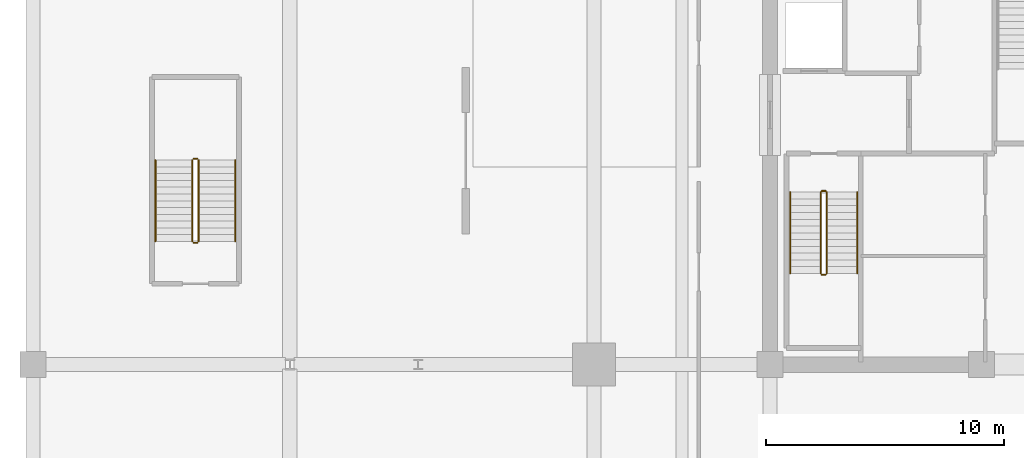
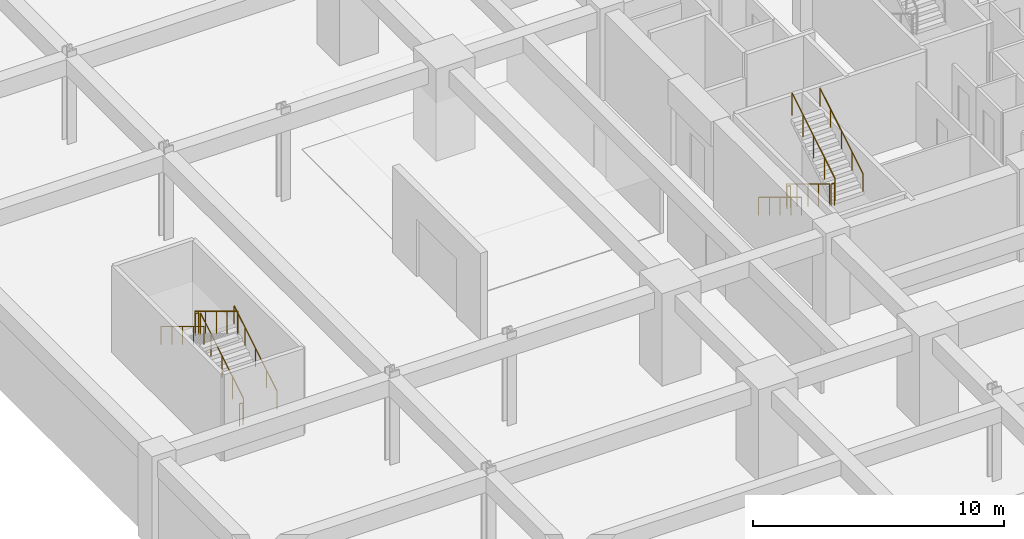
# One storey, part 12 of 16: 12 railings.
"""IFC4 building model written with IfcOpenShell, lengths in metres."""

import ifcopenshell
import ifcopenshell.guid

model = None  # the IFC model being written
_history = None  # IfcOwnerHistory: only IFC2X3 demands one
_inside = {}  # id of a spatial element -> (the spatial element, [elements in it])
_under = {}  # id of a project, library or spatial element -> (it, [spatial elements below it])
_declared = {}  # id of a project -> (the project, [libraries it declares])
_typed = {}  # id of a type object -> (the type object, [elements of that type])
_made_of = {}  # id of a material, layer set ... -> (it, [elements and type objects made of it])


def new_model(schema):
    """Start an empty IFC model of exactly this schema.

    Asked for "IFC4X3", IfcOpenShell would pick the latest addendum, in which some entities
    have other attributes; the version numbers below select the first issue.
    IFC2X3 requires an IfcOwnerHistory on every rooted entity: one is made here for all.
    """
    global model, _history
    if schema == "IFC4X3":
        model = ifcopenshell.file(schema_version=(4, 3, 0, 0))
    else:
        model = ifcopenshell.file(schema=schema)
    _inside.clear()
    _under.clear()
    _declared.clear()
    _typed.clear()
    _made_of.clear()
    _history = None
    if model.schema == "IFC2X3":
        org = make("IfcOrganization", Name="unknown")
        user = make(
            "IfcPersonAndOrganization",
            ThePerson=make("IfcPerson", FamilyName="unknown"),
            TheOrganization=org,
        )
        app = make(
            "IfcApplication",
            ApplicationDeveloper=org,
            Version="unknown",
            ApplicationFullName="unknown",
            ApplicationIdentifier="unknown",
        )
        _history = make(
            "IfcOwnerHistory",
            OwningUser=user,
            OwningApplication=app,
            ChangeAction="ADDED",
            CreationDate=0,
        )
    return model


def make(cls, **values):
    """One entity of the class cls with the attributes given. An attribute that is None is left unset."""
    return model.create_entity(
        cls, **{name: value for name, value in values.items() if value is not None}
    )


def rooted(cls, **values):
    """An entity with a GlobalId (a new one), such as an element, a storey or a relation."""
    return make(cls, GlobalId=ifcopenshell.guid.new(), OwnerHistory=_history, **values)


def si_unit(unit_type, name, prefix=None):
    """IfcSIUnit, for example si_unit("LENGTHUNIT", "METRE", prefix="MILLI")."""
    return make("IfcSIUnit", UnitType=unit_type, Prefix=prefix, Name=name)


def assignment(units):
    """IfcUnitAssignment: the units of a project."""
    return None if units is None else make("IfcUnitAssignment", Units=units)


def point(xyz):
    """IfcCartesianPoint."""
    return None if xyz is None else make("IfcCartesianPoint", Coordinates=xyz)


def direction(xyz):
    """IfcDirection."""
    return None if xyz is None else make("IfcDirection", DirectionRatios=xyz)


def frame(location, z_axis=None, x_axis=None):
    """IfcAxis2Placement3D, a coordinate frame: its origin and axes. An axis left out is left unset."""
    return make(
        "IfcAxis2Placement3D",
        Location=point(location),
        Axis=direction(z_axis),
        RefDirection=direction(x_axis),
    )


def frame_2d(location, x_axis=None):
    """IfcAxis2Placement2D, a coordinate frame in the plane: its origin and x axis."""
    return make(
        "IfcAxis2Placement2D", Location=point(location), RefDirection=direction(x_axis)
    )


def origin():
    """The frame at (0, 0, 0) with its axes left unset."""
    return frame((0.0, 0.0, 0.0))


def origin_2d():
    """The frame at (0, 0) in the plane with its x axis left unset."""
    return frame_2d((0.0, 0.0))


def place(relative_to, where):
    """IfcLocalPlacement: puts the frame where relative to a parent placement (None: the world)."""
    return make(
        "IfcLocalPlacement", PlacementRelTo=relative_to, RelativePlacement=where
    )


def context(
    kind, dimensions, precision=None, world=None, true_north=None, identifier=None
):
    """IfcGeometricRepresentationContext, for example the 3D "Model" context."""
    return make(
        "IfcGeometricRepresentationContext",
        ContextIdentifier=identifier,
        ContextType=kind,
        CoordinateSpaceDimension=dimensions,
        Precision=precision,
        WorldCoordinateSystem=world,
        TrueNorth=true_north,
    )


def subcontext(parent, identifier, kind, view, scale=None):
    """IfcGeometricRepresentationSubContext, for example "Body" below "Model"."""
    return make(
        "IfcGeometricRepresentationSubContext",
        ContextIdentifier=identifier,
        ContextType=kind,
        ParentContext=parent,
        TargetScale=scale,
        TargetView=view,
    )


def project(units=None, contexts=None):
    """IfcProject with its units and contexts."""
    return rooted(
        "IfcProject",
        Name="project",
        RepresentationContexts=contexts,
        UnitsInContext=assignment(units),
    )


def spatial(cls, under=None, at=None, **own):
    """A site, building, storey or space (cls), placed at a placement, below another one or the project."""
    s = rooted(cls, ObjectPlacement=at, **own)
    if under is not None:
        _under.setdefault(under.id(), (under, []))[1].append(s)
    return s


def profile(cls, at=None, kind="AREA", **sizes):
    """A parametric profile (cls). Its sizes go by their IFC names, for example OverallWidth=200.0."""
    return make(cls, ProfileType=kind, Position=at, **sizes)


def circle(**sizes):
    """IfcCircleProfileDef."""
    return profile("IfcCircleProfileDef", **sizes)


def extrude(swept, where, along, depth):
    """IfcExtrudedAreaSolid: the profile swept, set in the frame where, extruded along a direction by depth."""
    return make(
        "IfcExtrudedAreaSolid",
        SweptArea=swept,
        Position=where,
        ExtrudedDirection=direction(along),
        Depth=depth,
    )


def shape(context_of_items, identifier, shape_type, items):
    """IfcShapeRepresentation: the items that make up one representation, for example the "Body"."""
    return make(
        "IfcShapeRepresentation",
        ContextOfItems=context_of_items,
        RepresentationIdentifier=identifier,
        RepresentationType=shape_type,
        Items=items,
    )


def material(Name=None, Category=None):
    """IfcMaterial."""
    return make("IfcMaterial", Name=Name, Category=Category)


def made_of(thing, what):
    """Note that an element or type object is made of a material, layer set ...; save() writes the relation."""
    if what is not None:
        _made_of.setdefault(what.id(), (what, []))[1].append(thing)
    return thing


def type_object(cls, material=None, **own):
    """A type object (cls), such as IfcWallType, which elements share."""
    return made_of(rooted(cls, **own), material)


def element(
    cls,
    number,
    at=None,
    inside=None,
    cuts=None,
    type_object=None,
    material=None,
    context=None,
    identifier="Body",
    shape_type=None,
    held_by="IfcProductDefinitionShape",
    body=None,
    shapes=None,
    **own,
):
    """One element of the class cls, such as IfcWall. Its Tag is "e" and its number.

    at: its placement. inside: the storey or other place that contains it. cuts: it is an
    opening in that element (IfcRelVoidsElement). A single representation is given by context,
    identifier, shape_type and body (its items); several are given by shapes. held_by: the class
    of the entity that holds the representations. save() writes the other relations.
    """
    e = rooted(cls, Tag="e%d" % number, ObjectPlacement=at, **own)
    if body is not None:
        shapes = [shape(context, identifier, shape_type, body)]
    if shapes is not None:
        e.Representation = make(held_by, Representations=shapes)
    if inside is not None:
        _inside.setdefault(inside.id(), (inside, []))[1].append(e)
    if cuts is not None:
        rooted(
            "IfcRelVoidsElement", RelatingBuildingElement=cuts, RelatedOpeningElement=e
        )
    if type_object is not None:
        _typed.setdefault(type_object.id(), (type_object, []))[1].append(e)
    return made_of(e, material)


def aggregate(whole, parts):
    """IfcRelAggregates: a whole, such as a stair, and the parts it consists of."""
    return rooted("IfcRelAggregates", RelatingObject=whole, RelatedObjects=parts)


def save(model, path):
    """Write the relations noted so far, then the file.

    IfcRelAggregates (storeys below a building ...), IfcRelContainedInSpatialStructure (elements
    in a storey), IfcRelDefinesByType, IfcRelAssociatesMaterial and IfcRelDeclares: one each for
    every whole, place, type object, material and project.
    """
    for whole, parts in _under.values():
        aggregate(whole, parts)
    for where, things in _inside.values():
        rooted(
            "IfcRelContainedInSpatialStructure",
            RelatedElements=things,
            RelatingStructure=where,
        )
    for kind, things in _typed.values():
        rooted("IfcRelDefinesByType", RelatedObjects=things, RelatingType=kind)
    for what, things in _made_of.values():
        rooted("IfcRelAssociatesMaterial", RelatedObjects=things, RelatingMaterial=what)
    for by, libraries in _declared.values():
        rooted("IfcRelDeclares", RelatingContext=by, RelatedDefinitions=libraries)
    model.write(path)


model = new_model("IFC4")

# Units and contexts
model_context = context("Model", 3, precision=1e-05, world=origin(), true_north=direction((0.0, 1.0)))
body_context = subcontext(model_context, "Body", "Model", "MODEL_VIEW")
ifc_project = project(units=[si_unit("LENGTHUNIT", "METRE"), si_unit("AREAUNIT", "SQUARE_METRE"), si_unit("VOLUMEUNIT", "CUBIC_METRE"), si_unit("PLANEANGLEUNIT", "RADIAN"), si_unit("MASSUNIT", "GRAM", prefix="KILO")], contexts=[model_context])

# Site, building, storey
site_placement = place(None, origin())
site = spatial("IfcSite", under=ifc_project, at=site_placement, CompositionType="ELEMENT")
building_placement = place(site_placement, origin())
building = spatial("IfcBuilding", under=site, at=building_placement, Name="Kovane Verandah Tower", CompositionType="ELEMENT")
storey_placement = place(building_placement, frame((0.0, 0.0, -4.5)))
storey = spatial("IfcBuildingStorey", under=building, at=storey_placement, Name="B1", CompositionType="ELEMENT", Elevation=-4.5)

# Railings
ifc_material_1 = material(Name="Brushed Stainless Steel Handrail", Category="steel")
railing_type_1 = type_object("IfcRailingType", Name="RL-HAND-920", PredefinedType="HANDRAIL", material=ifc_material_1)
railing_1_placement = place(storey_placement, frame((29.85009765625, 25.75, 0.173095703125)))
element("IfcRailing", 1, at=railing_1_placement, inside=storey, type_object=railing_type_1, Name="B1 ST-01 stair handrail 1", PredefinedType="HANDRAIL", context=body_context, shape_type="SweptSolid", body=[
    extrude(circle(Radius=0.02392578125, at=origin_2d()), frame((0.0, 0.0, 0.8759765625), z_axis=(0.0, -0.854729506542, 0.519073665916), x_axis=(1.0, 0.0, 0.0)), (0.0, 0.0, 1.0), 4.001220703125),
    extrude(circle(Radius=0.02099609375, at=origin_2d()), origin(), (0.0, 0.0, 1.0), 0.851806640625),
    extrude(circle(Radius=0.02099609375, at=origin_2d()), frame((0.0, -0.85498046875, 0.519287109375)), (0.0, 0.0, 1.0), 0.851806640625),
    extrude(circle(Radius=0.02099609375, at=origin_2d()), frame((0.0, -1.7099609375, 1.03857421875)), (0.0, 0.0, 1.0), 0.851806640625),
    extrude(circle(Radius=0.02099609375, at=origin_2d()), frame((0.0, -2.56494140625, 1.5576171875)), (0.0, 0.0, 1.0), 0.851806640625),
    extrude(circle(Radius=0.02099609375, at=origin_2d()), frame((0.0, -3.419921875, 2.076904296875)), (0.0, 0.0, 1.0), 0.851806640625),
])
railing_2_placement = place(storey_placement, frame((32.669921875, 22.330078125, 2.423095703125)))
element("IfcRailing", 2, at=railing_2_placement, inside=storey, type_object=railing_type_1, Name="B1 ST-01 stair handrail 2", PredefinedType="HANDRAIL", context=body_context, shape_type="SweptSolid", body=[
    extrude(circle(Radius=0.02392578125, at=origin_2d()), frame((0.0, 0.0, 0.8759765625), z_axis=(0.0, 0.854729506542, 0.519073665916), x_axis=(-1.0, 0.0, 0.0)), (0.0, 0.0, 1.0), 4.001220703125),
    extrude(circle(Radius=0.02099609375, at=origin_2d()), origin(), (0.0, 0.0, 1.0), 0.851806640625),
    extrude(circle(Radius=0.02099609375, at=origin_2d()), frame((0.0, 0.85498046875, 0.519287109375)), (0.0, 0.0, 1.0), 0.851806640625),
    extrude(circle(Radius=0.02099609375, at=origin_2d()), frame((0.0, 1.7099609375, 1.03857421875)), (0.0, 0.0, 1.0), 0.851806640625),
    extrude(circle(Radius=0.02099609375, at=origin_2d()), frame((0.0, 2.56494140625, 1.5576171875)), (0.0, 0.0, 1.0), 0.851806640625),
    extrude(circle(Radius=0.02099609375, at=origin_2d()), frame((0.0, 3.419921875, 2.076904296875)), (0.0, 0.0, 1.0), 0.851806640625),
])
railing_3_placement = place(storey_placement, frame((6.510009765625, 23.679931640625, 0.173095703125)))
element("IfcRailing", 3, at=railing_3_placement, inside=storey, type_object=railing_type_1, Name="B1 ST-04 stair handrail 1", PredefinedType="HANDRAIL", context=body_context, shape_type="SweptSolid", body=[
    extrude(circle(Radius=0.02392578125, at=origin_2d()), frame((0.0, 0.0, 0.8759765625), z_axis=(0.0, 0.854745945586, 0.519046595696), x_axis=(-1.0, 0.0, 0.0)), (0.0, 0.0, 1.0), 4.00146484375),
    extrude(circle(Radius=0.02099609375, at=origin_2d()), origin(), (0.0, 0.0, 1.0), 0.851806640625),
    extrude(circle(Radius=0.02099609375, at=origin_2d()), frame((0.0, 0.85498046875, 0.519287109375)), (0.0, 0.0, 1.0), 0.851806640625),
    extrude(circle(Radius=0.02099609375, at=origin_2d()), frame((0.0, 1.7099609375, 1.03857421875)), (0.0, 0.0, 1.0), 0.851806640625),
    extrude(circle(Radius=0.02099609375, at=origin_2d()), frame((0.0, 2.565185546875, 1.5576171875)), (0.0, 0.0, 1.0), 0.851806640625),
    extrude(circle(Radius=0.02099609375, at=origin_2d()), frame((0.0, 3.420166015625, 2.076904296875)), (0.0, 0.0, 1.0), 0.851806640625),
])
railing_4_placement = place(storey_placement, frame((3.14990234375, 27.10009765625, 2.423095703125)))
element("IfcRailing", 4, at=railing_4_placement, inside=storey, type_object=railing_type_1, Name="B1 ST-04 stair handrail 2", PredefinedType="HANDRAIL", context=body_context, shape_type="SweptSolid", body=[
    extrude(circle(Radius=0.02392578125, at=origin_2d()), frame((0.0, 0.0, 0.8759765625), z_axis=(0.0, -0.854745945586, 0.519046595696), x_axis=(1.0, 0.0, 0.0)), (0.0, 0.0, 1.0), 4.00146484375),
    extrude(circle(Radius=0.02099609375, at=origin_2d()), origin(), (0.0, 0.0, 1.0), 0.851806640625),
    extrude(circle(Radius=0.02099609375, at=origin_2d()), frame((0.0, -0.85498046875, 0.519287109375)), (0.0, 0.0, 1.0), 0.851806640625),
    extrude(circle(Radius=0.02099609375, at=origin_2d()), frame((0.0, -1.7099609375, 1.03857421875)), (0.0, 0.0, 1.0), 0.851806640625),
    extrude(circle(Radius=0.02099609375, at=origin_2d()), frame((0.0, -2.565185546875, 1.5576171875)), (0.0, 0.0, 1.0), 0.851806640625),
    extrude(circle(Radius=0.02099609375, at=origin_2d()), frame((0.0, -3.420166015625, 2.076904296875)), (0.0, 0.0, 1.0), 0.851806640625),
])
ifc_material_2 = material(Name="Painted Steel Stairwell Guardrail", Category="steel")
railing_type_2 = type_object("IfcRailingType", Name="RL-STGUARD-1120", PredefinedType="GUARDRAIL", material=ifc_material_2)
railing_5_placement = place(storey_placement, frame((31.1298828125, 25.75, 0.173095703125)))
element("IfcRailing", 5, at=railing_5_placement, inside=storey, type_object=railing_type_2, Name="B1 ST-01 stair guard 1", PredefinedType="GUARDRAIL", context=body_context, shape_type="SweptSolid", body=[
    extrude(circle(Radius=0.02392578125, at=origin_2d()), frame((0.0, 0.0, 1.076171875), z_axis=(0.0, -0.854729506542, 0.519073665916), x_axis=(1.0, 0.0, 0.0)), (0.0, 0.0, 1.0), 4.001220703125),
    extrude(circle(Radius=0.02099609375, at=origin_2d()), origin(), (0.0, 0.0, 1.0), 1.052001953125),
    extrude(circle(Radius=0.02099609375, at=origin_2d()), frame((0.0, -0.85498046875, 0.519287109375)), (0.0, 0.0, 1.0), 1.052001953125),
    extrude(circle(Radius=0.02099609375, at=origin_2d()), frame((0.0, -1.7099609375, 1.03857421875)), (0.0, 0.0, 1.0), 1.052001953125),
    extrude(circle(Radius=0.02099609375, at=origin_2d()), frame((0.0, -2.56494140625, 1.5576171875)), (0.0, 0.0, 1.0), 1.052001953125),
    extrude(circle(Radius=0.02099609375, at=origin_2d()), frame((0.0, -3.419921875, 2.076904296875)), (0.0, 0.0, 1.0), 1.052001953125),
])
railing_6_placement = place(storey_placement, frame((31.179931640625, 22.280029296875, 2.25)))
element("IfcRailing", 6, at=railing_6_placement, inside=storey, type_object=railing_type_2, Name="B1 ST-01 stair guard 2", PredefinedType="GUARDRAIL", context=body_context, shape_type="SweptSolid", body=[
    extrude(circle(Radius=0.02392578125, at=origin_2d()), frame((0.0, 0.0, 1.076171875), z_axis=(1.0, 0.0, 0.0), x_axis=(0.0, 1.0, 0.0)), (0.0, 0.0, 1.0), 0.16015625),
    extrude(circle(Radius=0.02099609375, at=origin_2d()), origin(), (0.0, 0.0, 1.0), 1.052001953125),
    extrude(circle(Radius=0.02099609375, at=origin_2d()), frame((0.16015625, 0.0, 0.0)), (0.0, 0.0, 1.0), 1.052001953125),
])
railing_7_placement = place(storey_placement, frame((31.389892578125, 22.330078125, 2.423095703125)))
element("IfcRailing", 7, at=railing_7_placement, inside=storey, type_object=railing_type_2, Name="B1 ST-01 stair guard 3", PredefinedType="GUARDRAIL", context=body_context, shape_type="SweptSolid", body=[
    extrude(circle(Radius=0.02392578125, at=origin_2d()), frame((0.0, 0.0, 1.076171875), z_axis=(0.0, 0.854729506542, 0.519073665916), x_axis=(-1.0, 0.0, 0.0)), (0.0, 0.0, 1.0), 4.001220703125),
    extrude(circle(Radius=0.02099609375, at=origin_2d()), origin(), (0.0, 0.0, 1.0), 1.052001953125),
    extrude(circle(Radius=0.02099609375, at=origin_2d()), frame((0.0, 0.85498046875, 0.519287109375)), (0.0, 0.0, 1.0), 1.052001953125),
    extrude(circle(Radius=0.02099609375, at=origin_2d()), frame((0.0, 1.7099609375, 1.03857421875)), (0.0, 0.0, 1.0), 1.052001953125),
    extrude(circle(Radius=0.02099609375, at=origin_2d()), frame((0.0, 2.56494140625, 1.5576171875)), (0.0, 0.0, 1.0), 1.052001953125),
    extrude(circle(Radius=0.02099609375, at=origin_2d()), frame((0.0, 3.419921875, 2.076904296875)), (0.0, 0.0, 1.0), 1.052001953125),
])
railing_8_placement = place(storey_placement, frame((31.179931640625, 25.800048828125, 0.0)))
element("IfcRailing", 8, at=railing_8_placement, inside=storey, type_object=railing_type_2, Name="B1 ST-01 stair guard 4", PredefinedType="GUARDRAIL", context=body_context, shape_type="SweptSolid", body=[
    extrude(circle(Radius=0.02392578125, at=origin_2d()), frame((0.0, 0.0, 1.076171875), z_axis=(1.0, 0.0, 0.0), x_axis=(0.0, 1.0, 0.0)), (0.0, 0.0, 1.0), 0.16015625),
    extrude(circle(Radius=0.02099609375, at=origin_2d()), origin(), (0.0, 0.0, 1.0), 1.052001953125),
    extrude(circle(Radius=0.02099609375, at=origin_2d()), frame((0.16015625, 0.0, 0.0)), (0.0, 0.0, 1.0), 1.052001953125),
])
railing_9_placement = place(storey_placement, frame((4.9599609375, 23.679931640625, 0.173095703125)))
element("IfcRailing", 9, at=railing_9_placement, inside=storey, type_object=railing_type_2, Name="B1 ST-04 stair guard 1", PredefinedType="GUARDRAIL", context=body_context, shape_type="SweptSolid", body=[
    extrude(circle(Radius=0.02392578125, at=origin_2d()), frame((0.0, 0.0, 1.076171875), z_axis=(0.0, 0.854745945586, 0.519046595696), x_axis=(-1.0, 0.0, 0.0)), (0.0, 0.0, 1.0), 4.00146484375),
    extrude(circle(Radius=0.02099609375, at=origin_2d()), origin(), (0.0, 0.0, 1.0), 1.052001953125),
    extrude(circle(Radius=0.02099609375, at=origin_2d()), frame((0.0, 0.85498046875, 0.519287109375)), (0.0, 0.0, 1.0), 1.052001953125),
    extrude(circle(Radius=0.02099609375, at=origin_2d()), frame((0.0, 1.7099609375, 1.03857421875)), (0.0, 0.0, 1.0), 1.052001953125),
    extrude(circle(Radius=0.02099609375, at=origin_2d()), frame((0.0, 2.565185546875, 1.5576171875)), (0.0, 0.0, 1.0), 1.052001953125),
    extrude(circle(Radius=0.02099609375, at=origin_2d()), frame((0.0, 3.420166015625, 2.076904296875)), (0.0, 0.0, 1.0), 1.052001953125),
])
railing_10_placement = place(storey_placement, frame((4.909912109375, 27.14990234375, 2.25)))
element("IfcRailing", 10, at=railing_10_placement, inside=storey, type_object=railing_type_2, Name="B1 ST-04 stair guard 2", PredefinedType="GUARDRAIL", context=body_context, shape_type="SweptSolid", body=[
    extrude(circle(Radius=0.02392578125, at=origin_2d()), frame((0.0, 0.0, 1.076171875), z_axis=(-1.0, 0.0, 0.0), x_axis=(0.0, -1.0, 0.0)), (0.0, 0.0, 1.0), 0.159912109375),
    extrude(circle(Radius=0.02099609375, at=origin_2d()), origin(), (0.0, 0.0, 1.0), 1.052001953125),
    extrude(circle(Radius=0.02099609375, at=origin_2d()), frame((-0.159912109375, 0.0, 0.0)), (0.0, 0.0, 1.0), 1.052001953125),
])
railing_11_placement = place(storey_placement, frame((4.699951171875, 27.10009765625, 2.423095703125)))
element("IfcRailing", 11, at=railing_11_placement, inside=storey, type_object=railing_type_2, Name="B1 ST-04 stair guard 3", PredefinedType="GUARDRAIL", context=body_context, shape_type="SweptSolid", body=[
    extrude(circle(Radius=0.02392578125, at=origin_2d()), frame((0.0, 0.0, 1.076171875), z_axis=(0.0, -0.854745945586, 0.519046595696), x_axis=(1.0, 0.0, 0.0)), (0.0, 0.0, 1.0), 4.00146484375),
    extrude(circle(Radius=0.02099609375, at=origin_2d()), origin(), (0.0, 0.0, 1.0), 1.052001953125),
    extrude(circle(Radius=0.02099609375, at=origin_2d()), frame((0.0, -0.85498046875, 0.519287109375)), (0.0, 0.0, 1.0), 1.052001953125),
    extrude(circle(Radius=0.02099609375, at=origin_2d()), frame((0.0, -1.7099609375, 1.03857421875)), (0.0, 0.0, 1.0), 1.052001953125),
    extrude(circle(Radius=0.02099609375, at=origin_2d()), frame((0.0, -2.565185546875, 1.5576171875)), (0.0, 0.0, 1.0), 1.052001953125),
    extrude(circle(Radius=0.02099609375, at=origin_2d()), frame((0.0, -3.420166015625, 2.076904296875)), (0.0, 0.0, 1.0), 1.052001953125),
])
railing_12_placement = place(storey_placement, frame((4.909912109375, 23.6298828125, 0.0)))
element("IfcRailing", 12, at=railing_12_placement, inside=storey, type_object=railing_type_2, Name="B1 ST-04 stair guard 4", PredefinedType="GUARDRAIL", context=body_context, shape_type="SweptSolid", body=[
    extrude(circle(Radius=0.02392578125, at=origin_2d()), frame((0.0, 0.0, 1.076171875), z_axis=(-1.0, 0.0, 0.0), x_axis=(0.0, -1.0, 0.0)), (0.0, 0.0, 1.0), 0.159912109375),
    extrude(circle(Radius=0.02099609375, at=origin_2d()), origin(), (0.0, 0.0, 1.0), 1.052001953125),
    extrude(circle(Radius=0.02099609375, at=origin_2d()), frame((-0.159912109375, 0.0, 0.0)), (0.0, 0.0, 1.0), 1.052001953125),
])

save(model, "model.ifc")
